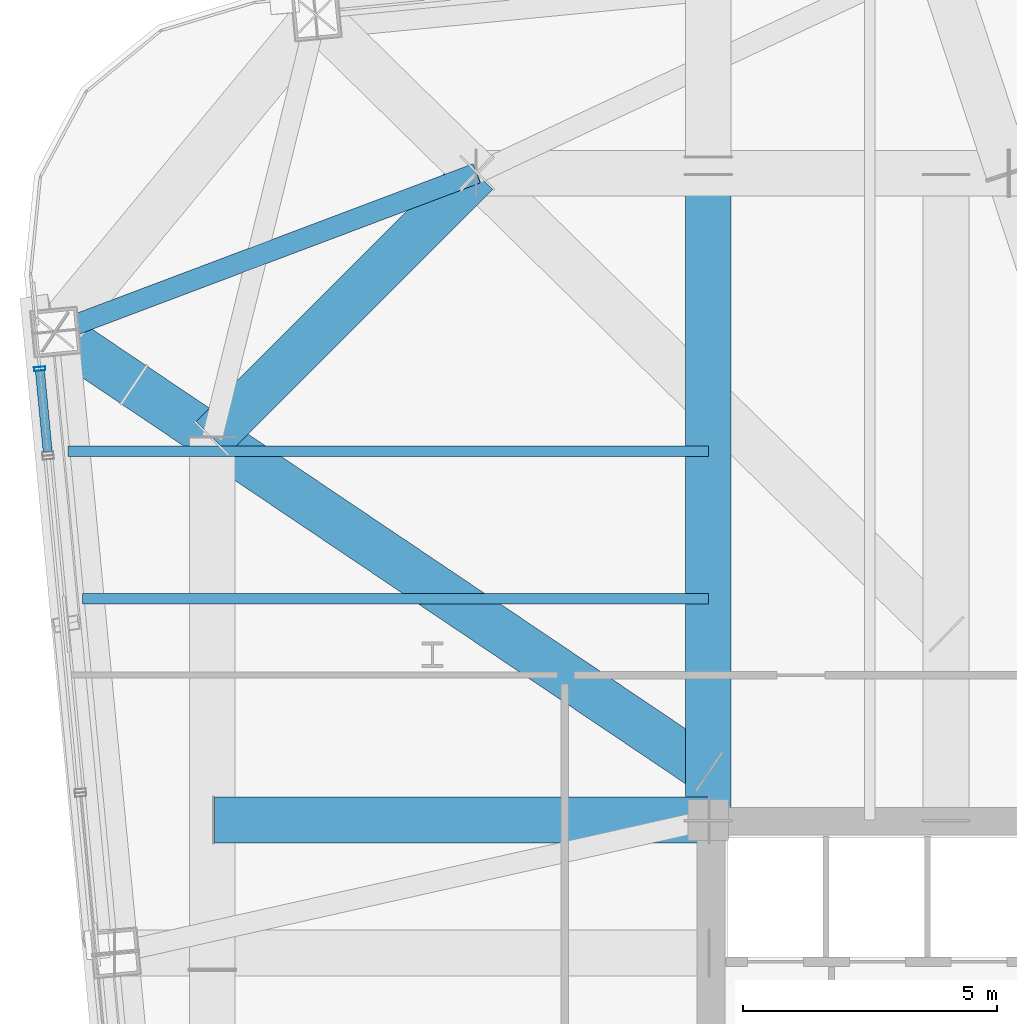
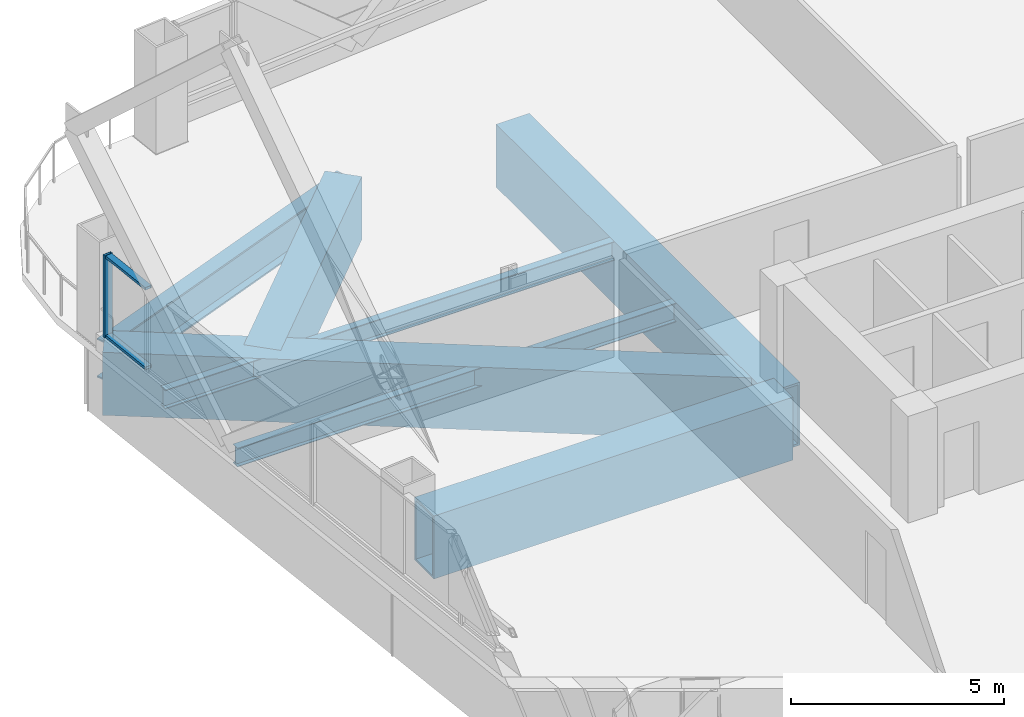
# One storey, part 24 of 42: 7 beams, 3 members, 1 element without a shape of its own.
"""IFC4 building model written with IfcOpenShell, lengths in metres."""

from ifc_helpers import new_model, si_unit, direction, frame, origin, origin_2d, place, context, subcontext, project, spatial, hollow_rectangle, i_section, extrude, material, layer, layer_set, material_profile, profile_set, type_object, element, aggregate, save


model = new_model("IFC4")

# Units and contexts
model_context = context("Model", 3, precision=1e-05, world=origin(), true_north=direction((0.0, 1.0)))
body_context = subcontext(model_context, "Body", "Model", "MODEL_VIEW")
ifc_project = project(units=[si_unit("LENGTHUNIT", "METRE"), si_unit("AREAUNIT", "SQUARE_METRE"), si_unit("VOLUMEUNIT", "CUBIC_METRE"), si_unit("PLANEANGLEUNIT", "RADIAN"), si_unit("MASSUNIT", "GRAM", prefix="KILO")], contexts=[model_context])

# Site, building, storey
site_placement = place(None, origin())
site = spatial("IfcSite", under=ifc_project, at=site_placement, CompositionType="ELEMENT")
building_placement = place(site_placement, origin())
building = spatial("IfcBuilding", under=site, at=building_placement, Name="Qhalaya Broadcast Tower", CompositionType="ELEMENT")
storey_placement = place(building_placement, frame((0.0, 0.0, 69.449951171875)))
storey = spatial("IfcBuildingStorey", under=building, at=storey_placement, Name="L19", CompositionType="ELEMENT", Elevation=69.449951171875)

# Beams
ifc_material_1 = material(Name="Structural Steel ASTM A572 Grade 50", Category="steel")
ifc_material_profile_1 = material_profile(ifc_material_1, hollow_rectangle(XDim=0.89990234375, YDim=1.800048828125, WallThickness=0.06005859375, at=origin_2d()), Name="BOX 900x1800x60")
ifc_profile_set_1 = profile_set([ifc_material_profile_1], Name="Structural Steel ASTM A572 Grade 50")
beam_type_1 = type_object("IfcBeamType", Name="Block Cantilever Transfer Box Girder TG1", PredefinedType="USERDEFINED", material=ifc_profile_set_1)
beam_1_placement = place(storey_placement, frame((-13.929931640625, 22.669921875, -1.119873046875), z_axis=(-0.707106781187, -0.707106781187, 0.0), x_axis=(0.707106781187, -0.707106781187, 0.0)))
element("IfcBeam", 1, at=beam_1_placement, inside=storey, type_object=beam_type_1, Name="L19 TG1 L19-TGL-12", ObjectType="GIRDER", PredefinedType="USERDEFINED", context=body_context, shape_type="SweptSolid", body=[
    extrude(hollow_rectangle(XDim=0.89990234375, YDim=1.800048828125, WallThickness=0.06005859375, at=origin_2d()), origin(), (0.0, 0.0, 1.0), 7.353759765625),
])
beam_2_placement = place(storey_placement, frame((-9.375, 9.949951171875, -1.119873046875), z_axis=(0.0, 1.0, 0.0), x_axis=(-1.0, 0.0, 0.0)))
element("IfcBeam", 2, at=beam_2_placement, inside=storey, type_object=beam_type_1, Name="L19 TG1 L19-TGINW-1", ObjectType="GIRDER", PredefinedType="USERDEFINED", context=body_context, shape_type="SweptSolid", body=[
    extrude(hollow_rectangle(XDim=0.89990234375, YDim=1.800048828125, WallThickness=0.06005859375, at=origin_2d()), origin(), (0.0, 0.0, 1.0), 12.679931640625),
])
beam_3_placement = place(storey_placement, frame((-19.090087890625, 9.949951171875, -1.119873046875), z_axis=(1.0, 0.0, 0.0), x_axis=(0.0, 1.0, 0.0)))
element("IfcBeam", 3, at=beam_3_placement, inside=storey, type_object=beam_type_1, Name="L19 TG1 L19-TGIY4W-1", ObjectType="GIRDER", PredefinedType="USERDEFINED", context=body_context, shape_type="SweptSolid", body=[
    extrude(hollow_rectangle(XDim=0.89990234375, YDim=1.800048828125, WallThickness=0.06005859375, at=origin_2d()), origin(), (0.0, 0.0, 1.0), 9.715087890625),
])
beam_4_placement = place(storey_placement, frame((-9.375, 10.90234375, -1.119873046875), z_axis=(-0.829517617056, 0.558480548447, 0.0), x_axis=(-0.558480548447, -0.829517617056, 0.0)))
element("IfcBeam", 4, at=beam_4_placement, inside=storey, type_object=beam_type_1, Name="L19 Continuous Cantilever Transfer Box Girder 13", ObjectType="GIRDER", PredefinedType="USERDEFINED", context=body_context, shape_type="SweptSolid", body=[
    extrude(hollow_rectangle(XDim=0.89990234375, YDim=1.800048828125, WallThickness=0.06005859375, at=origin_2d()), origin(), (0.0, 0.0, 1.0), 15.47607421875),
])
ifc_material_2 = material(Name="Structural Steel ASTM A992 Grade 50", Category="steel")
ifc_material_profile_2 = material_profile(ifc_material_2, i_section(OverallWidth=0.2099609375, OverallDepth=0.535888671875, WebThickness=0.010986328125, FlangeThickness=0.017333984375, at=origin_2d()), Name="W21X68")
ifc_profile_set_2 = profile_set([ifc_material_profile_2], Name="Structural Steel ASTM A992 Grade 50")
beam_type_2 = type_object("IfcBeamType", Name="Composite Floor Joist J02", PredefinedType="JOIST", material=ifc_profile_set_2)
beam_5_placement = place(storey_placement, frame((-21.6875, 14.300048828125, -0.488037109375), z_axis=(1.0, 0.0, 0.0), x_axis=(0.0, 1.0, 0.0)))
element("IfcBeam", 5, at=beam_5_placement, inside=storey, type_object=beam_type_2, Name="L19 J02 L19-JWE6W-1", PredefinedType="JOIST", context=body_context, shape_type="SweptSolid", body=[
    extrude(i_section(OverallWidth=0.2099609375, OverallDepth=0.535888671875, WebThickness=0.010986328125, FlangeThickness=0.017333984375, at=origin_2d()), origin(), (0.0, 0.0, 1.0), 12.3125),
])
beam_6_placement = place(storey_placement, frame((-21.966796875, 17.199951171875, -0.488037109375), z_axis=(1.0, 0.0, 0.0), x_axis=(0.0, 1.0, 0.0)))
element("IfcBeam", 6, at=beam_6_placement, inside=storey, type_object=beam_type_2, Name="L19 J02 L19-JWE7W-1", PredefinedType="JOIST", context=body_context, shape_type="SweptSolid", body=[
    extrude(i_section(OverallWidth=0.2099609375, OverallDepth=0.535888671875, WebThickness=0.010986328125, FlangeThickness=0.017333984375, at=origin_2d()), origin(), (0.0, 0.0, 1.0), 12.591796875),
])
ifc_material_profile_3 = material_profile(ifc_material_2, i_section(OverallWidth=0.404052734375, OverallDepth=1.117919921875, WebThickness=0.026123046875, FlangeThickness=0.044921875, at=origin_2d()), Name="W44X335")
ifc_profile_set_3 = profile_set([ifc_material_profile_3], Name="Structural Steel ASTM A992 Grade 50")
beam_type_3 = type_object("IfcBeamType", Name="Podium Long-Span Primary Girder PG1", PredefinedType="USERDEFINED", material=ifc_profile_set_3)
beam_7_placement = place(storey_placement, frame((-13.929931640625, 22.669921875, -0.779052734375), z_axis=(-0.93564055918, -0.352954308683, 0.0), x_axis=(0.352954308683, -0.93564055918, 0.0)))
element("IfcBeam", 7, at=beam_7_placement, inside=storey, type_object=beam_type_3, Name="L19 Column-to-Column Moment Tie Girder 13-2", ObjectType="GIRDER", PredefinedType="USERDEFINED", context=body_context, shape_type="SweptSolid", body=[
    extrude(i_section(OverallWidth=0.404052734375, OverallDepth=1.117919921875, WebThickness=0.026123046875, FlangeThickness=0.044921875, at=origin_2d()), origin(), (0.0, 0.0, 1.0), 8.8525390625),
])

# Curtain wall, members
ifc_material_3 = material(Name="Solar-Control Low-E Triple Glazing", Category="glass")
ifc_layer = layer(ifc_material_3, 0.219970703125, Name="Solar-Control Low-E Triple Glazing")
ifc_layer_set = layer_set([ifc_layer], Name="Solar-Control Low-E Triple Glazing")
curtain_wall_type = type_object("IfcCurtainWallType", Name="Even-Block 4-Storey Double-Module Curtain Wall CW-03", PredefinedType="NOTDEFINED", material=ifc_layer_set)
curtain_wall_placement = place(storey_placement, origin())
curtain_wall = element("IfcCurtainWall", 8, at=curtain_wall_placement, inside=storey, type_object=curtain_wall_type, Name="L19 Unitised Curtain Wall L19-CW-W1", PredefinedType="NOTDEFINED")
ifc_material_4 = material(Name="Anodised Aluminium 6063-T6", Category="aluminium")
ifc_material_profile_4 = material_profile(ifc_material_4, hollow_rectangle(XDim=0.074951171875, YDim=0.219970703125, WallThickness=0.00390625, at=origin_2d()), Name="ALU-MUL 75x220x4")
ifc_profile_set_4 = profile_set([ifc_material_profile_4], Name="Anodised Aluminium 6063-T6")
member_type_1 = type_object("IfcMemberType", Name="Unitised Curtain-Wall Mullion M01", PredefinedType="MULLION", material=ifc_profile_set_4)
member_1_placement = place(storey_placement, frame((-22.52490234375, 18.82470703125, 0.47998046875), z_axis=(0.0, 0.0, 1.0), x_axis=(0.095835306252, -0.995397204173, 0.0)))
member_1 = element("IfcMember", 9, at=member_1_placement, type_object=member_type_1, Name="CW-03 mullion 1", PredefinedType="MULLION", context=body_context, shape_type="SweptSolid", body=[
    extrude(hollow_rectangle(XDim=0.074951171875, YDim=0.219970703125, WallThickness=0.00390625, at=origin_2d()), origin(), (0.0, 0.0, 1.0), 2.35009765625),
])
ifc_material_profile_5 = material_profile(ifc_material_4, hollow_rectangle(XDim=0.074951171875, YDim=0.179931640625, WallThickness=0.00390625, at=origin_2d()), Name="ALU-TRN 75x180x4")
ifc_profile_set_5 = profile_set([ifc_material_profile_5], Name="Anodised Aluminium 6063-T6")
member_type_2 = type_object("IfcMemberType", Name="Unitised Curtain-Wall Transom T01", PredefinedType="USERDEFINED", material=ifc_profile_set_5)
member_2_placement = place(storey_placement, frame((-22.521484375, 18.787353515625, 0.517578125), z_axis=(0.095866324101, -0.995394217335, 0.0), x_axis=(0.0, 0.0, 1.0)))
member_2 = element("IfcMember", 10, at=member_2_placement, type_object=member_type_2, Name="CW-03 transom 1.1", ObjectType="TRANSOM", PredefinedType="USERDEFINED", context=body_context, shape_type="SweptSolid", body=[
    extrude(hollow_rectangle(XDim=0.074951171875, YDim=0.179931640625, WallThickness=0.00390625, at=origin_2d()), origin(), (0.0, 0.0, 1.0), 1.601806640625),
])
member_3_placement = place(storey_placement, frame((-22.521484375, 18.787353515625, 2.79248046875), z_axis=(0.095866324101, -0.995394217335, 0.0), x_axis=(0.0, 0.0, 1.0)))
member_3 = element("IfcMember", 11, at=member_3_placement, type_object=member_type_2, Name="CW-03 transom 1.2", ObjectType="TRANSOM", PredefinedType="USERDEFINED", context=body_context, shape_type="SweptSolid", body=[
    extrude(hollow_rectangle(XDim=0.074951171875, YDim=0.179931640625, WallThickness=0.00390625, at=origin_2d()), origin(), (0.0, 0.0, 1.0), 1.601806640625),
])
aggregate(curtain_wall, [member_1, member_2, member_3])

save(model, "model.ifc")
